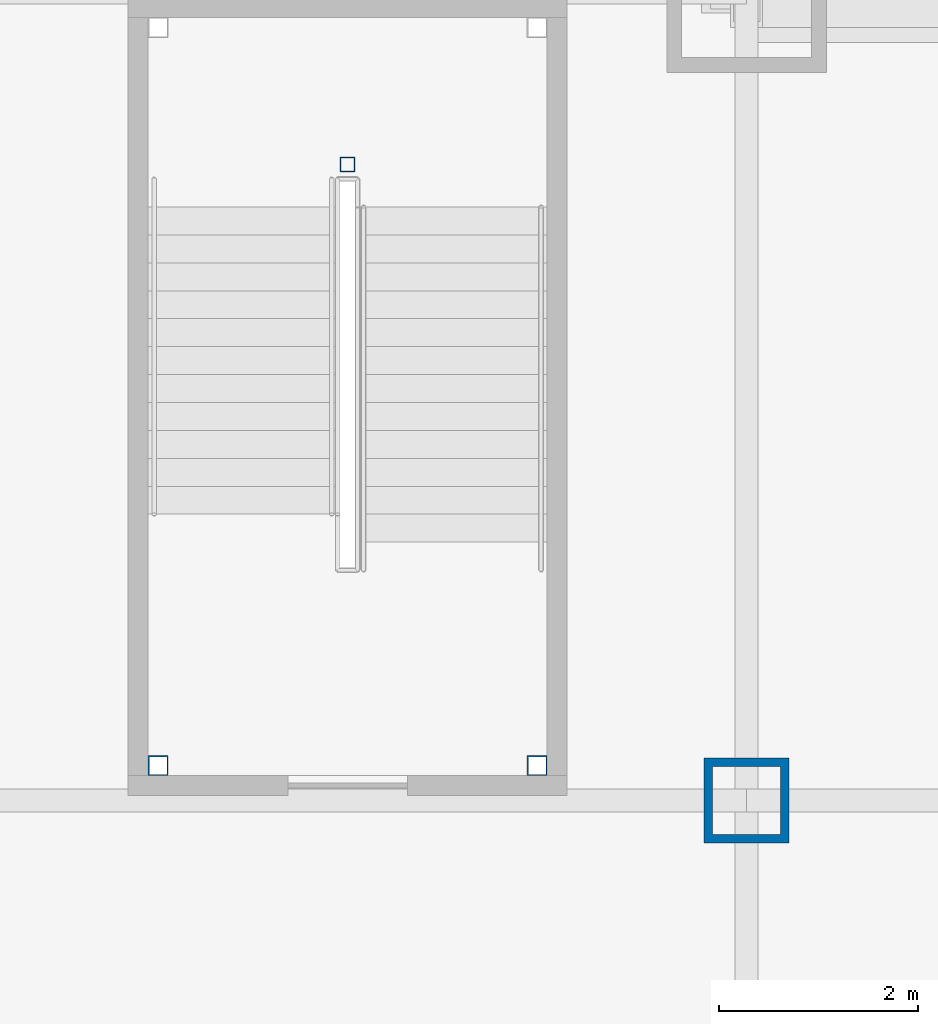
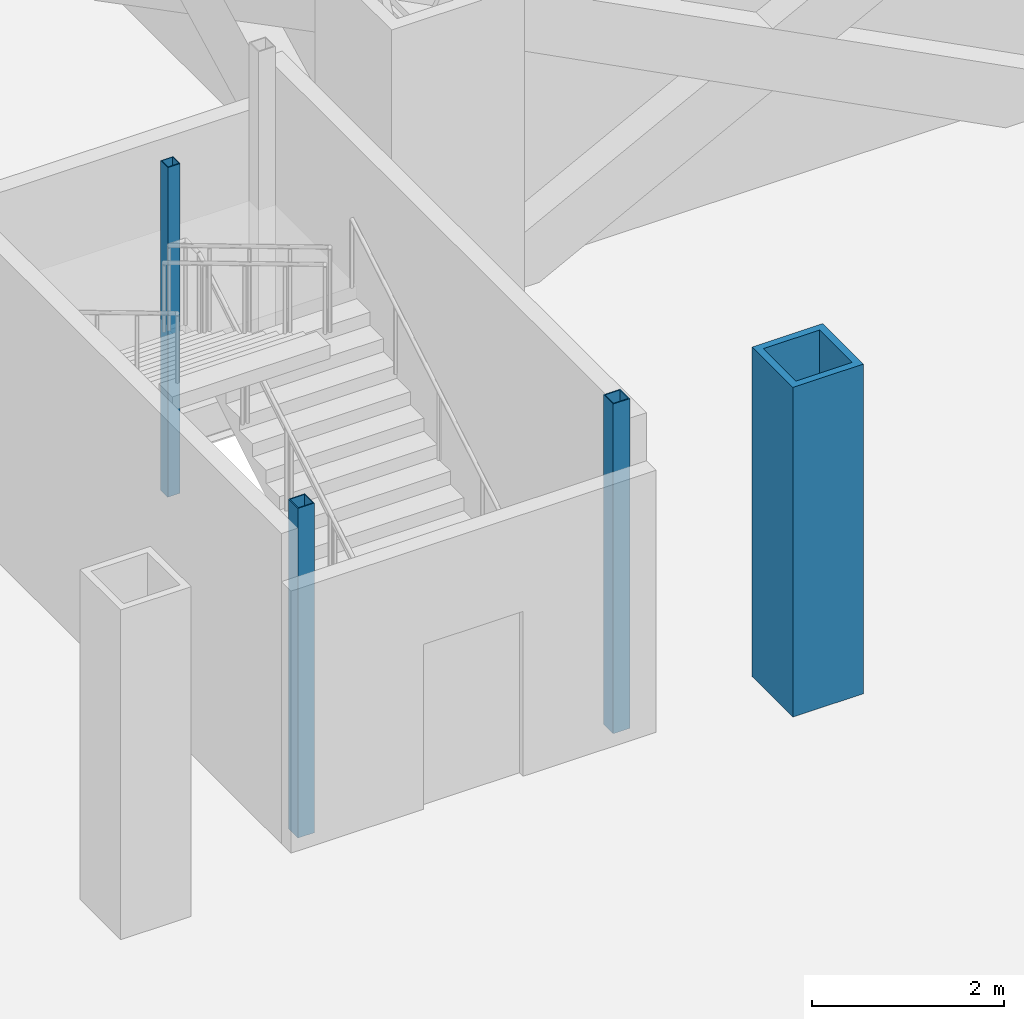
# One storey, part 2 of 14: 4 columns.
"""IFC4 building model written with IfcOpenShell, lengths in metres."""

import ifcopenshell
import ifcopenshell.guid

model = None  # the IFC model being written
_history = None  # IfcOwnerHistory: only IFC2X3 demands one
_inside = {}  # id of a spatial element -> (the spatial element, [elements in it])
_under = {}  # id of a project, library or spatial element -> (it, [spatial elements below it])
_declared = {}  # id of a project -> (the project, [libraries it declares])
_typed = {}  # id of a type object -> (the type object, [elements of that type])
_made_of = {}  # id of a material, layer set ... -> (it, [elements and type objects made of it])


def new_model(schema):
    """Start an empty IFC model of exactly this schema.

    Asked for "IFC4X3", IfcOpenShell would pick the latest addendum, in which some entities
    have other attributes; the version numbers below select the first issue.
    IFC2X3 requires an IfcOwnerHistory on every rooted entity: one is made here for all.
    """
    global model, _history
    if schema == "IFC4X3":
        model = ifcopenshell.file(schema_version=(4, 3, 0, 0))
    else:
        model = ifcopenshell.file(schema=schema)
    _inside.clear()
    _under.clear()
    _declared.clear()
    _typed.clear()
    _made_of.clear()
    _history = None
    if model.schema == "IFC2X3":
        org = make("IfcOrganization", Name="unknown")
        user = make(
            "IfcPersonAndOrganization",
            ThePerson=make("IfcPerson", FamilyName="unknown"),
            TheOrganization=org,
        )
        app = make(
            "IfcApplication",
            ApplicationDeveloper=org,
            Version="unknown",
            ApplicationFullName="unknown",
            ApplicationIdentifier="unknown",
        )
        _history = make(
            "IfcOwnerHistory",
            OwningUser=user,
            OwningApplication=app,
            ChangeAction="ADDED",
            CreationDate=0,
        )
    return model


def make(cls, **values):
    """One entity of the class cls with the attributes given. An attribute that is None is left unset."""
    return model.create_entity(
        cls, **{name: value for name, value in values.items() if value is not None}
    )


def rooted(cls, **values):
    """An entity with a GlobalId (a new one), such as an element, a storey or a relation."""
    return make(cls, GlobalId=ifcopenshell.guid.new(), OwnerHistory=_history, **values)


def si_unit(unit_type, name, prefix=None):
    """IfcSIUnit, for example si_unit("LENGTHUNIT", "METRE", prefix="MILLI")."""
    return make("IfcSIUnit", UnitType=unit_type, Prefix=prefix, Name=name)


def assignment(units):
    """IfcUnitAssignment: the units of a project."""
    return None if units is None else make("IfcUnitAssignment", Units=units)


def point(xyz):
    """IfcCartesianPoint."""
    return None if xyz is None else make("IfcCartesianPoint", Coordinates=xyz)


def direction(xyz):
    """IfcDirection."""
    return None if xyz is None else make("IfcDirection", DirectionRatios=xyz)


def frame(location, z_axis=None, x_axis=None):
    """IfcAxis2Placement3D, a coordinate frame: its origin and axes. An axis left out is left unset."""
    return make(
        "IfcAxis2Placement3D",
        Location=point(location),
        Axis=direction(z_axis),
        RefDirection=direction(x_axis),
    )


def frame_2d(location, x_axis=None):
    """IfcAxis2Placement2D, a coordinate frame in the plane: its origin and x axis."""
    return make(
        "IfcAxis2Placement2D", Location=point(location), RefDirection=direction(x_axis)
    )


def origin():
    """The frame at (0, 0, 0) with its axes left unset."""
    return frame((0.0, 0.0, 0.0))


def origin_2d():
    """The frame at (0, 0) in the plane with its x axis left unset."""
    return frame_2d((0.0, 0.0))


def place(relative_to, where):
    """IfcLocalPlacement: puts the frame where relative to a parent placement (None: the world)."""
    return make(
        "IfcLocalPlacement", PlacementRelTo=relative_to, RelativePlacement=where
    )


def context(
    kind, dimensions, precision=None, world=None, true_north=None, identifier=None
):
    """IfcGeometricRepresentationContext, for example the 3D "Model" context."""
    return make(
        "IfcGeometricRepresentationContext",
        ContextIdentifier=identifier,
        ContextType=kind,
        CoordinateSpaceDimension=dimensions,
        Precision=precision,
        WorldCoordinateSystem=world,
        TrueNorth=true_north,
    )


def subcontext(parent, identifier, kind, view, scale=None):
    """IfcGeometricRepresentationSubContext, for example "Body" below "Model"."""
    return make(
        "IfcGeometricRepresentationSubContext",
        ContextIdentifier=identifier,
        ContextType=kind,
        ParentContext=parent,
        TargetScale=scale,
        TargetView=view,
    )


def project(units=None, contexts=None):
    """IfcProject with its units and contexts."""
    return rooted(
        "IfcProject",
        Name="project",
        RepresentationContexts=contexts,
        UnitsInContext=assignment(units),
    )


def spatial(cls, under=None, at=None, **own):
    """A site, building, storey or space (cls), placed at a placement, below another one or the project."""
    s = rooted(cls, ObjectPlacement=at, **own)
    if under is not None:
        _under.setdefault(under.id(), (under, []))[1].append(s)
    return s


def profile(cls, at=None, kind="AREA", **sizes):
    """A parametric profile (cls). Its sizes go by their IFC names, for example OverallWidth=200.0."""
    return make(cls, ProfileType=kind, Position=at, **sizes)


def hollow_rectangle(**sizes):
    """IfcRectangleHollowProfileDef."""
    return profile("IfcRectangleHollowProfileDef", **sizes)


def extrude(swept, where, along, depth):
    """IfcExtrudedAreaSolid: the profile swept, set in the frame where, extruded along a direction by depth."""
    return make(
        "IfcExtrudedAreaSolid",
        SweptArea=swept,
        Position=where,
        ExtrudedDirection=direction(along),
        Depth=depth,
    )


def shape(context_of_items, identifier, shape_type, items):
    """IfcShapeRepresentation: the items that make up one representation, for example the "Body"."""
    return make(
        "IfcShapeRepresentation",
        ContextOfItems=context_of_items,
        RepresentationIdentifier=identifier,
        RepresentationType=shape_type,
        Items=items,
    )


def material(Name=None, Category=None):
    """IfcMaterial."""
    return make("IfcMaterial", Name=Name, Category=Category)


def material_profile(
    of_material, cross_section, Name=None, Category=None, Priority=None
):
    """IfcMaterialProfile: a cross section and its material."""
    return make(
        "IfcMaterialProfile",
        Name=Name,
        Material=of_material,
        Profile=cross_section,
        Priority=Priority,
        Category=Category,
    )


def profile_set(profiles, Name=None, composite=None):
    """IfcMaterialProfileSet."""
    return make(
        "IfcMaterialProfileSet",
        Name=Name,
        MaterialProfiles=profiles,
        CompositeProfile=composite,
    )


def made_of(thing, what):
    """Note that an element or type object is made of a material, layer set ...; save() writes the relation."""
    if what is not None:
        _made_of.setdefault(what.id(), (what, []))[1].append(thing)
    return thing


def type_object(cls, material=None, **own):
    """A type object (cls), such as IfcWallType, which elements share."""
    return made_of(rooted(cls, **own), material)


def element(
    cls,
    number,
    at=None,
    inside=None,
    cuts=None,
    type_object=None,
    material=None,
    context=None,
    identifier="Body",
    shape_type=None,
    held_by="IfcProductDefinitionShape",
    body=None,
    shapes=None,
    **own,
):
    """One element of the class cls, such as IfcWall. Its Tag is "e" and its number.

    at: its placement. inside: the storey or other place that contains it. cuts: it is an
    opening in that element (IfcRelVoidsElement). A single representation is given by context,
    identifier, shape_type and body (its items); several are given by shapes. held_by: the class
    of the entity that holds the representations. save() writes the other relations.
    """
    e = rooted(cls, Tag="e%d" % number, ObjectPlacement=at, **own)
    if body is not None:
        shapes = [shape(context, identifier, shape_type, body)]
    if shapes is not None:
        e.Representation = make(held_by, Representations=shapes)
    if inside is not None:
        _inside.setdefault(inside.id(), (inside, []))[1].append(e)
    if cuts is not None:
        rooted(
            "IfcRelVoidsElement", RelatingBuildingElement=cuts, RelatedOpeningElement=e
        )
    if type_object is not None:
        _typed.setdefault(type_object.id(), (type_object, []))[1].append(e)
    return made_of(e, material)


def aggregate(whole, parts):
    """IfcRelAggregates: a whole, such as a stair, and the parts it consists of."""
    return rooted("IfcRelAggregates", RelatingObject=whole, RelatedObjects=parts)


def save(model, path):
    """Write the relations noted so far, then the file.

    IfcRelAggregates (storeys below a building ...), IfcRelContainedInSpatialStructure (elements
    in a storey), IfcRelDefinesByType, IfcRelAssociatesMaterial and IfcRelDeclares: one each for
    every whole, place, type object, material and project.
    """
    for whole, parts in _under.values():
        aggregate(whole, parts)
    for where, things in _inside.values():
        rooted(
            "IfcRelContainedInSpatialStructure",
            RelatedElements=things,
            RelatingStructure=where,
        )
    for kind, things in _typed.values():
        rooted("IfcRelDefinesByType", RelatedObjects=things, RelatingType=kind)
    for what, things in _made_of.values():
        rooted("IfcRelAssociatesMaterial", RelatedObjects=things, RelatingMaterial=what)
    for by, libraries in _declared.values():
        rooted("IfcRelDeclares", RelatingContext=by, RelatedDefinitions=libraries)
    model.write(path)


model = new_model("IFC4")

# Units and contexts
model_context = context("Model", 3, precision=1e-05, world=origin(), true_north=direction((0.0, 1.0)))
body_context = subcontext(model_context, "Body", "Model", "MODEL_VIEW")
ifc_project = project(units=[si_unit("LENGTHUNIT", "METRE"), si_unit("AREAUNIT", "SQUARE_METRE"), si_unit("VOLUMEUNIT", "CUBIC_METRE"), si_unit("PLANEANGLEUNIT", "RADIAN"), si_unit("MASSUNIT", "GRAM", prefix="KILO")], contexts=[model_context])

# Site, building, storey
site_placement = place(None, origin())
site = spatial("IfcSite", under=ifc_project, at=site_placement, CompositionType="ELEMENT")
building_placement = place(site_placement, origin())
building = spatial("IfcBuilding", under=site, at=building_placement, Name="Kopane Lantern Tower", CompositionType="ELEMENT")
storey_placement = place(building_placement, frame((0.0, 0.0, -4.199951171875)))
storey = spatial("IfcBuildingStorey", under=building, at=storey_placement, Name="L-01", CompositionType="ELEMENT", Elevation=-4.199951171875)

# Columns
ifc_material_1 = material(Name="Steel S355JR", Category="steel")
ifc_material_profile_1 = material_profile(ifc_material_1, hollow_rectangle(XDim=0.85009765625, YDim=0.85009765625, WallThickness=0.0849609375, at=origin_2d()), Name="BOX 850x850x85")
ifc_profile_set_1 = profile_set([ifc_material_profile_1], Name="Steel S355JR")
column_type_1 = type_object("IfcColumnType", Name="COLUMN BOX 850x850x85", PredefinedType="COLUMN", material=ifc_profile_set_1)
column_1_placement = place(storey_placement, frame((16.199951171875, 16.199951171875, 0.0), z_axis=(0.0, 0.0, 1.0), x_axis=(1.0, 0.0, 0.0)))
element("IfcColumn", 1, at=column_1_placement, inside=storey, type_object=column_type_1, Name="Column 4/D L-01", PredefinedType="COLUMN", context=body_context, shape_type="SweptSolid", body=[
    extrude(hollow_rectangle(XDim=0.85009765625, YDim=0.85009765625, WallThickness=0.0849609375, at=origin_2d()), origin(), (0.0, 0.0, 1.0), 4.199951171875),
])
ifc_material_2 = material(Name="Steel S355JR", Category="steel")
ifc_material_profile_2 = material_profile(ifc_material_2, hollow_rectangle(XDim=0.14990234375, YDim=0.14990234375, WallThickness=0.010009765625, at=origin_2d()), Name="BOX 150x150x10")
ifc_profile_set_2 = profile_set([ifc_material_profile_2], Name="Steel S355JR")
column_type_2 = type_object("IfcColumnType", Name="STAIR NEWEL POST BOX 150x150x10", PredefinedType="COLUMN", material=ifc_profile_set_2)
column_2_placement = place(storey_placement, frame((12.199951171875, 22.574951171875, 0.0), z_axis=(0.0, 0.0, 1.0), x_axis=(1.0, 0.0, 0.0)))
element("IfcColumn", 2, at=column_2_placement, inside=storey, type_object=column_type_2, Name="Stair newel post ST3 NEWEL L-01", PredefinedType="COLUMN", context=body_context, shape_type="SweptSolid", body=[
    extrude(hollow_rectangle(XDim=0.14990234375, YDim=0.14990234375, WallThickness=0.010009765625, at=origin_2d()), origin(), (0.0, 0.0, 1.0), 4.199951171875),
])
ifc_material_3 = material(Name="Steel S355JR", Category="steel")
ifc_material_profile_3 = material_profile(ifc_material_3, hollow_rectangle(XDim=0.199951171875, YDim=0.199951171875, WallThickness=0.011962890625, at=origin_2d()), Name="BOX 200x200x12")
ifc_profile_set_3 = profile_set([ifc_material_profile_3], Name="Steel S355JR")
column_type_3 = type_object("IfcColumnType", Name="STAIR POST BOX 200x200x12", PredefinedType="COLUMN", material=ifc_profile_set_3)
for number, where, z_axis, x_axis, name in (
    (3, (10.300048828125, 16.550048828125, 0.0), (0.0, 0.0, 1.0), (1.0, 0.0, 0.0), "Stair post ST3 SW L-01"),
    (4, (14.10009765625, 16.550048828125, 0.0), (0.0, 0.0, 1.0), (1.0, 0.0, 0.0), "Stair post ST3 SE L-01"),
):
    element("IfcColumn", number, at=place(storey_placement, frame(where, z_axis=z_axis, x_axis=x_axis)), inside=storey, type_object=column_type_3, Name=name, PredefinedType="COLUMN", context=body_context, shape_type="SweptSolid", body=[
        extrude(hollow_rectangle(XDim=0.199951171875, YDim=0.199951171875, WallThickness=0.011962890625, at=origin_2d()), origin(), (0.0, 0.0, 1.0), 4.199951171875),
    ])

save(model, "model.ifc")
